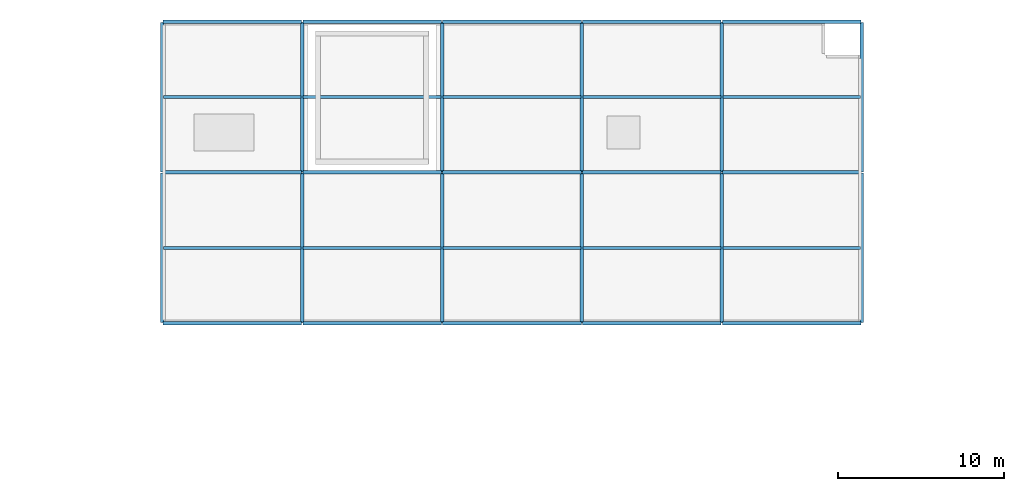
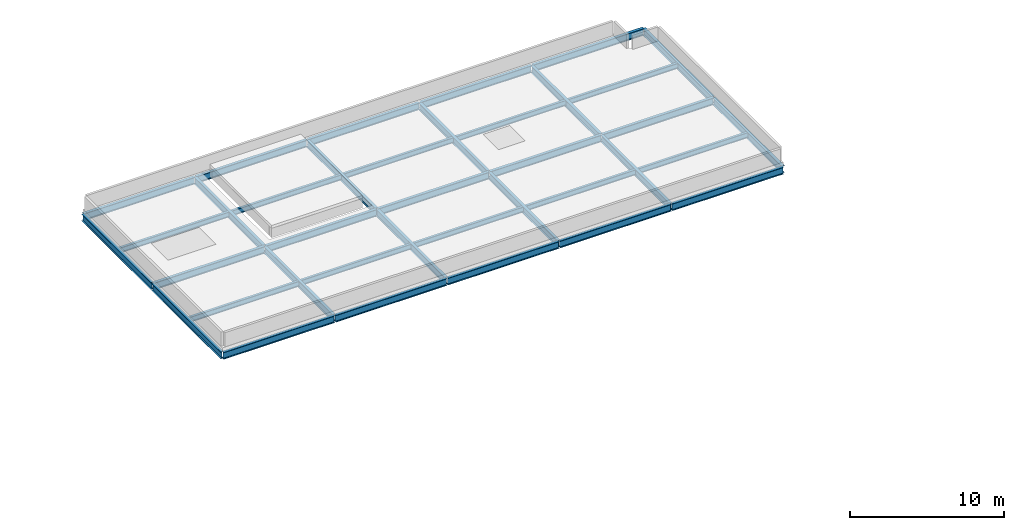
# One storey, part 43 of 58: 37 beams.
"""IFC4 building model written with IfcOpenShell, lengths in metres."""

import ifcopenshell
import ifcopenshell.guid

model = None  # the IFC model being written
_history = None  # IfcOwnerHistory: only IFC2X3 demands one
_inside = {}  # id of a spatial element -> (the spatial element, [elements in it])
_under = {}  # id of a project, library or spatial element -> (it, [spatial elements below it])
_declared = {}  # id of a project -> (the project, [libraries it declares])
_typed = {}  # id of a type object -> (the type object, [elements of that type])
_made_of = {}  # id of a material, layer set ... -> (it, [elements and type objects made of it])


def new_model(schema):
    """Start an empty IFC model of exactly this schema.

    Asked for "IFC4X3", IfcOpenShell would pick the latest addendum, in which some entities
    have other attributes; the version numbers below select the first issue.
    IFC2X3 requires an IfcOwnerHistory on every rooted entity: one is made here for all.
    """
    global model, _history
    if schema == "IFC4X3":
        model = ifcopenshell.file(schema_version=(4, 3, 0, 0))
    else:
        model = ifcopenshell.file(schema=schema)
    _inside.clear()
    _under.clear()
    _declared.clear()
    _typed.clear()
    _made_of.clear()
    _history = None
    if model.schema == "IFC2X3":
        org = make("IfcOrganization", Name="unknown")
        user = make(
            "IfcPersonAndOrganization",
            ThePerson=make("IfcPerson", FamilyName="unknown"),
            TheOrganization=org,
        )
        app = make(
            "IfcApplication",
            ApplicationDeveloper=org,
            Version="unknown",
            ApplicationFullName="unknown",
            ApplicationIdentifier="unknown",
        )
        _history = make(
            "IfcOwnerHistory",
            OwningUser=user,
            OwningApplication=app,
            ChangeAction="ADDED",
            CreationDate=0,
        )
    return model


def make(cls, **values):
    """One entity of the class cls with the attributes given. An attribute that is None is left unset."""
    return model.create_entity(
        cls, **{name: value for name, value in values.items() if value is not None}
    )


def rooted(cls, **values):
    """An entity with a GlobalId (a new one), such as an element, a storey or a relation."""
    return make(cls, GlobalId=ifcopenshell.guid.new(), OwnerHistory=_history, **values)


def si_unit(unit_type, name, prefix=None):
    """IfcSIUnit, for example si_unit("LENGTHUNIT", "METRE", prefix="MILLI")."""
    return make("IfcSIUnit", UnitType=unit_type, Prefix=prefix, Name=name)


def assignment(units):
    """IfcUnitAssignment: the units of a project."""
    return None if units is None else make("IfcUnitAssignment", Units=units)


def point(xyz):
    """IfcCartesianPoint."""
    return None if xyz is None else make("IfcCartesianPoint", Coordinates=xyz)


def direction(xyz):
    """IfcDirection."""
    return None if xyz is None else make("IfcDirection", DirectionRatios=xyz)


def frame(location, z_axis=None, x_axis=None):
    """IfcAxis2Placement3D, a coordinate frame: its origin and axes. An axis left out is left unset."""
    return make(
        "IfcAxis2Placement3D",
        Location=point(location),
        Axis=direction(z_axis),
        RefDirection=direction(x_axis),
    )


def frame_2d(location, x_axis=None):
    """IfcAxis2Placement2D, a coordinate frame in the plane: its origin and x axis."""
    return make(
        "IfcAxis2Placement2D", Location=point(location), RefDirection=direction(x_axis)
    )


def origin():
    """The frame at (0, 0, 0) with its axes left unset."""
    return frame((0.0, 0.0, 0.0))


def origin_2d():
    """The frame at (0, 0) in the plane with its x axis left unset."""
    return frame_2d((0.0, 0.0))


def place(relative_to, where):
    """IfcLocalPlacement: puts the frame where relative to a parent placement (None: the world)."""
    return make(
        "IfcLocalPlacement", PlacementRelTo=relative_to, RelativePlacement=where
    )


def context(
    kind, dimensions, precision=None, world=None, true_north=None, identifier=None
):
    """IfcGeometricRepresentationContext, for example the 3D "Model" context."""
    return make(
        "IfcGeometricRepresentationContext",
        ContextIdentifier=identifier,
        ContextType=kind,
        CoordinateSpaceDimension=dimensions,
        Precision=precision,
        WorldCoordinateSystem=world,
        TrueNorth=true_north,
    )


def subcontext(parent, identifier, kind, view, scale=None):
    """IfcGeometricRepresentationSubContext, for example "Body" below "Model"."""
    return make(
        "IfcGeometricRepresentationSubContext",
        ContextIdentifier=identifier,
        ContextType=kind,
        ParentContext=parent,
        TargetScale=scale,
        TargetView=view,
    )


def project(units=None, contexts=None):
    """IfcProject with its units and contexts."""
    return rooted(
        "IfcProject",
        Name="project",
        RepresentationContexts=contexts,
        UnitsInContext=assignment(units),
    )


def spatial(cls, under=None, at=None, **own):
    """A site, building, storey or space (cls), placed at a placement, below another one or the project."""
    s = rooted(cls, ObjectPlacement=at, **own)
    if under is not None:
        _under.setdefault(under.id(), (under, []))[1].append(s)
    return s


def profile(cls, at=None, kind="AREA", **sizes):
    """A parametric profile (cls). Its sizes go by their IFC names, for example OverallWidth=200.0."""
    return make(cls, ProfileType=kind, Position=at, **sizes)


def i_section(**sizes):
    """IfcIShapeProfileDef."""
    return profile("IfcIShapeProfileDef", **sizes)


def extrude(swept, where, along, depth):
    """IfcExtrudedAreaSolid: the profile swept, set in the frame where, extruded along a direction by depth."""
    return make(
        "IfcExtrudedAreaSolid",
        SweptArea=swept,
        Position=where,
        ExtrudedDirection=direction(along),
        Depth=depth,
    )


def shape(context_of_items, identifier, shape_type, items):
    """IfcShapeRepresentation: the items that make up one representation, for example the "Body"."""
    return make(
        "IfcShapeRepresentation",
        ContextOfItems=context_of_items,
        RepresentationIdentifier=identifier,
        RepresentationType=shape_type,
        Items=items,
    )


def material(Name=None, Category=None):
    """IfcMaterial."""
    return make("IfcMaterial", Name=Name, Category=Category)


def material_profile(
    of_material, cross_section, Name=None, Category=None, Priority=None
):
    """IfcMaterialProfile: a cross section and its material."""
    return make(
        "IfcMaterialProfile",
        Name=Name,
        Material=of_material,
        Profile=cross_section,
        Priority=Priority,
        Category=Category,
    )


def profile_set(profiles, Name=None, composite=None):
    """IfcMaterialProfileSet."""
    return make(
        "IfcMaterialProfileSet",
        Name=Name,
        MaterialProfiles=profiles,
        CompositeProfile=composite,
    )


def made_of(thing, what):
    """Note that an element or type object is made of a material, layer set ...; save() writes the relation."""
    if what is not None:
        _made_of.setdefault(what.id(), (what, []))[1].append(thing)
    return thing


def type_object(cls, material=None, **own):
    """A type object (cls), such as IfcWallType, which elements share."""
    return made_of(rooted(cls, **own), material)


def element(
    cls,
    number,
    at=None,
    inside=None,
    cuts=None,
    type_object=None,
    material=None,
    context=None,
    identifier="Body",
    shape_type=None,
    held_by="IfcProductDefinitionShape",
    body=None,
    shapes=None,
    **own,
):
    """One element of the class cls, such as IfcWall. Its Tag is "e" and its number.

    at: its placement. inside: the storey or other place that contains it. cuts: it is an
    opening in that element (IfcRelVoidsElement). A single representation is given by context,
    identifier, shape_type and body (its items); several are given by shapes. held_by: the class
    of the entity that holds the representations. save() writes the other relations.
    """
    e = rooted(cls, Tag="e%d" % number, ObjectPlacement=at, **own)
    if body is not None:
        shapes = [shape(context, identifier, shape_type, body)]
    if shapes is not None:
        e.Representation = make(held_by, Representations=shapes)
    if inside is not None:
        _inside.setdefault(inside.id(), (inside, []))[1].append(e)
    if cuts is not None:
        rooted(
            "IfcRelVoidsElement", RelatingBuildingElement=cuts, RelatedOpeningElement=e
        )
    if type_object is not None:
        _typed.setdefault(type_object.id(), (type_object, []))[1].append(e)
    return made_of(e, material)


def aggregate(whole, parts):
    """IfcRelAggregates: a whole, such as a stair, and the parts it consists of."""
    return rooted("IfcRelAggregates", RelatingObject=whole, RelatedObjects=parts)


def save(model, path):
    """Write the relations noted so far, then the file.

    IfcRelAggregates (storeys below a building ...), IfcRelContainedInSpatialStructure (elements
    in a storey), IfcRelDefinesByType, IfcRelAssociatesMaterial and IfcRelDeclares: one each for
    every whole, place, type object, material and project.
    """
    for whole, parts in _under.values():
        aggregate(whole, parts)
    for where, things in _inside.values():
        rooted(
            "IfcRelContainedInSpatialStructure",
            RelatedElements=things,
            RelatingStructure=where,
        )
    for kind, things in _typed.values():
        rooted("IfcRelDefinesByType", RelatedObjects=things, RelatingType=kind)
    for what, things in _made_of.values():
        rooted("IfcRelAssociatesMaterial", RelatedObjects=things, RelatingMaterial=what)
    for by, libraries in _declared.values():
        rooted("IfcRelDeclares", RelatingContext=by, RelatedDefinitions=libraries)
    model.write(path)


model = new_model("IFC4")

# Units and contexts
model_context = context("Model", 3, precision=1e-05, world=origin(), true_north=direction((0.0, 1.0)))
body_context = subcontext(model_context, "Body", "Model", "MODEL_VIEW")
ifc_project = project(units=[si_unit("LENGTHUNIT", "METRE"), si_unit("AREAUNIT", "SQUARE_METRE"), si_unit("VOLUMEUNIT", "CUBIC_METRE"), si_unit("PLANEANGLEUNIT", "RADIAN"), si_unit("MASSUNIT", "GRAM", prefix="KILO")], contexts=[model_context])

# Site, building, storey
site_placement = place(None, origin())
site = spatial("IfcSite", under=ifc_project, at=site_placement, CompositionType="ELEMENT")
building_placement = place(site_placement, origin())
building = spatial("IfcBuilding", under=site, at=building_placement, Name="Khurvash Pelagic Aquarium", CompositionType="ELEMENT")
storey_placement = place(building_placement, frame((0.0, 0.0, 24.60009765625)))
storey = spatial("IfcBuildingStorey", under=building, at=storey_placement, Name="L05", CompositionType="ELEMENT", Elevation=24.60009765625)

# Beams
ifc_material = material(Name="Steel ASTM A992 Grade 50", Category="steel")
ifc_material_profile_1 = material_profile(ifc_material, i_section(OverallWidth=0.214111328125, OverallDepth=0.549072265625, WebThickness=0.0146484375, FlangeThickness=0.023681640625, at=origin_2d()), Name="W21X93")
ifc_profile_set_1 = profile_set([ifc_material_profile_1], Name="Steel ASTM A992 Grade 50")
beam_type_1 = type_object("IfcBeamType", Name="BM-11", PredefinedType="BEAM", material=ifc_profile_set_1)
beam_1_placement = place(storey_placement, frame((58.840087890625, 84.050048828125, -0.594482421875), z_axis=(1.0, 0.0, 0.0), x_axis=(0.0, 1.0, 0.0)))
element("IfcBeam", 1, at=beam_1_placement, inside=storey, type_object=beam_type_1, Name="L05 Roof Girder BM-11 01260", PredefinedType="BEAM", context=body_context, shape_type="SweptSolid", body=[
    extrude(i_section(OverallWidth=0.214111328125, OverallDepth=0.549072265625, WebThickness=0.0146484375, FlangeThickness=0.023681640625, at=origin_2d()), origin(), (0.0, 0.0, 1.0), 8.31982421875),
])
for number, where, z_axis, x_axis, name in (
    (2, (67.239990234375, 84.050048828125, -0.594482421875), (1.0, 0.0, 0.0), (0.0, 1.0, 0.0), "L05 Roof Girder BM-11 01261"),
    (3, (75.639892578125, 84.050048828125, -0.594482421875), (1.0, 0.0, 0.0), (0.0, 1.0, 0.0), "L05 Roof Girder BM-11 01262"),
    (4, (84.0400390625, 84.050048828125, -0.594482421875), (1.0, 0.0, 0.0), (0.0, 1.0, 0.0), "L05 Roof Girder BM-11 01263"),
    (5, (92.43994140625, 84.050048828125, -0.594482421875), (1.0, 0.0, 0.0), (0.0, 1.0, 0.0), "L05 Roof Girder BM-11 01264"),
):
    element("IfcBeam", number, at=place(storey_placement, frame(where, z_axis=z_axis, x_axis=x_axis)), inside=storey, type_object=beam_type_1, Name=name, PredefinedType="BEAM", context=body_context, shape_type="SweptSolid", body=[
        extrude(i_section(OverallWidth=0.214111328125, OverallDepth=0.549072265625, WebThickness=0.0146484375, FlangeThickness=0.023681640625, at=origin_2d()), origin(), (0.0, 0.0, 1.0), 8.320068359375),
    ])
beam_2_placement = place(storey_placement, frame((58.840087890625, 93.10009765625, -0.594482421875), z_axis=(1.0, 0.0, 0.0), x_axis=(0.0, 1.0, 0.0)))
element("IfcBeam", 6, at=beam_2_placement, inside=storey, type_object=beam_type_1, Name="L05 Roof Girder BM-11 01265", PredefinedType="BEAM", context=body_context, shape_type="SweptSolid", body=[
    extrude(i_section(OverallWidth=0.214111328125, OverallDepth=0.549072265625, WebThickness=0.0146484375, FlangeThickness=0.023681640625, at=origin_2d()), origin(), (0.0, 0.0, 1.0), 8.31982421875),
])
for number, where, z_axis, x_axis, name in (
    (7, (67.239990234375, 93.10009765625, -0.594482421875), (1.0, 0.0, 0.0), (0.0, 1.0, 0.0), "L05 Roof Girder BM-11 01266"),
    (8, (75.639892578125, 93.10009765625, -0.594482421875), (1.0, 0.0, 0.0), (0.0, 1.0, 0.0), "L05 Roof Girder BM-11 01267"),
    (9, (84.0400390625, 93.10009765625, -0.594482421875), (1.0, 0.0, 0.0), (0.0, 1.0, 0.0), "L05 Roof Girder BM-11 01268"),
    (10, (92.43994140625, 93.10009765625, -0.594482421875), (1.0, 0.0, 0.0), (0.0, 1.0, 0.0), "L05 Roof Girder BM-11 01269"),
):
    element("IfcBeam", number, at=place(storey_placement, frame(where, z_axis=z_axis, x_axis=x_axis)), inside=storey, type_object=beam_type_1, Name=name, PredefinedType="BEAM", context=body_context, shape_type="SweptSolid", body=[
        extrude(i_section(OverallWidth=0.214111328125, OverallDepth=0.549072265625, WebThickness=0.0146484375, FlangeThickness=0.023681640625, at=origin_2d()), origin(), (0.0, 0.0, 1.0), 8.320068359375),
    ])
beam_3_placement = place(storey_placement, frame((58.840087890625, 102.14990234375, -0.594482421875), z_axis=(1.0, 0.0, 0.0), x_axis=(0.0, 1.0, 0.0)))
element("IfcBeam", 11, at=beam_3_placement, inside=storey, type_object=beam_type_1, Name="L05 Roof Girder BM-11 01270", PredefinedType="BEAM", context=body_context, shape_type="SweptSolid", body=[
    extrude(i_section(OverallWidth=0.214111328125, OverallDepth=0.549072265625, WebThickness=0.0146484375, FlangeThickness=0.023681640625, at=origin_2d()), origin(), (0.0, 0.0, 1.0), 8.31982421875),
])
for number, where, z_axis, x_axis, name in (
    (12, (67.239990234375, 102.14990234375, -0.594482421875), (1.0, 0.0, 0.0), (0.0, 1.0, 0.0), "L05 Roof Girder BM-11 01271"),
    (13, (75.639892578125, 102.14990234375, -0.594482421875), (1.0, 0.0, 0.0), (0.0, 1.0, 0.0), "L05 Roof Girder BM-11 01272"),
    (14, (84.0400390625, 102.14990234375, -0.594482421875), (1.0, 0.0, 0.0), (0.0, 1.0, 0.0), "L05 Roof Girder BM-11 01273"),
    (15, (92.43994140625, 102.14990234375, -0.594482421875), (1.0, 0.0, 0.0), (0.0, 1.0, 0.0), "L05 Roof Girder BM-11 01274"),
):
    element("IfcBeam", number, at=place(storey_placement, frame(where, z_axis=z_axis, x_axis=x_axis)), inside=storey, type_object=beam_type_1, Name=name, PredefinedType="BEAM", context=body_context, shape_type="SweptSolid", body=[
        extrude(i_section(OverallWidth=0.214111328125, OverallDepth=0.549072265625, WebThickness=0.0146484375, FlangeThickness=0.023681640625, at=origin_2d()), origin(), (0.0, 0.0, 1.0), 8.320068359375),
    ])
beam_4_placement = place(storey_placement, frame((58.800048828125, 84.090087890625, -0.594482421875), z_axis=(0.0, 1.0, 0.0), x_axis=(-1.0, 0.0, 0.0)))
element("IfcBeam", 16, at=beam_4_placement, inside=storey, type_object=beam_type_1, Name="L05 Roof Girder BM-11 01277", PredefinedType="BEAM", context=body_context, shape_type="SweptSolid", body=[
    extrude(i_section(OverallWidth=0.214111328125, OverallDepth=0.549072265625, WebThickness=0.0146484375, FlangeThickness=0.023681640625, at=origin_2d()), origin(), (0.0, 0.0, 1.0), 8.969970703125),
])
beam_5_placement = place(storey_placement, frame((58.800048828125, 93.139892578125, -0.594482421875), z_axis=(0.0, 1.0, 0.0), x_axis=(-1.0, 0.0, 0.0)))
element("IfcBeam", 17, at=beam_5_placement, inside=storey, type_object=beam_type_1, Name="L05 Roof Girder BM-11 01278", PredefinedType="BEAM", context=body_context, shape_type="SweptSolid", body=[
    extrude(i_section(OverallWidth=0.214111328125, OverallDepth=0.549072265625, WebThickness=0.0146484375, FlangeThickness=0.023681640625, at=origin_2d()), origin(), (0.0, 0.0, 1.0), 8.97021484375),
])
beam_6_placement = place(storey_placement, frame((67.199951171875, 84.090087890625, -0.594482421875), z_axis=(0.0, 1.0, 0.0), x_axis=(-1.0, 0.0, 0.0)))
element("IfcBeam", 18, at=beam_6_placement, inside=storey, type_object=beam_type_1, Name="L05 Roof Girder BM-11 01279", PredefinedType="BEAM", context=body_context, shape_type="SweptSolid", body=[
    extrude(i_section(OverallWidth=0.214111328125, OverallDepth=0.549072265625, WebThickness=0.0146484375, FlangeThickness=0.023681640625, at=origin_2d()), origin(), (0.0, 0.0, 1.0), 8.969970703125),
])
beam_7_placement = place(storey_placement, frame((67.199951171875, 93.139892578125, -0.594482421875), z_axis=(0.0, 1.0, 0.0), x_axis=(-1.0, 0.0, 0.0)))
element("IfcBeam", 19, at=beam_7_placement, inside=storey, type_object=beam_type_1, Name="L05 Roof Girder BM-11 01280", PredefinedType="BEAM", context=body_context, shape_type="SweptSolid", body=[
    extrude(i_section(OverallWidth=0.214111328125, OverallDepth=0.549072265625, WebThickness=0.0146484375, FlangeThickness=0.023681640625, at=origin_2d()), origin(), (0.0, 0.0, 1.0), 8.97021484375),
])
beam_8_placement = place(storey_placement, frame((75.60009765625, 84.090087890625, -0.594482421875), z_axis=(0.0, 1.0, 0.0), x_axis=(-1.0, 0.0, 0.0)))
element("IfcBeam", 20, at=beam_8_placement, inside=storey, type_object=beam_type_1, Name="L05 Roof Girder BM-11 01281", PredefinedType="BEAM", context=body_context, shape_type="SweptSolid", body=[
    extrude(i_section(OverallWidth=0.214111328125, OverallDepth=0.549072265625, WebThickness=0.0146484375, FlangeThickness=0.023681640625, at=origin_2d()), origin(), (0.0, 0.0, 1.0), 8.969970703125),
])
beam_9_placement = place(storey_placement, frame((75.60009765625, 93.139892578125, -0.594482421875), z_axis=(0.0, 1.0, 0.0), x_axis=(-1.0, 0.0, 0.0)))
element("IfcBeam", 21, at=beam_9_placement, inside=storey, type_object=beam_type_1, Name="L05 Roof Girder BM-11 01282", PredefinedType="BEAM", context=body_context, shape_type="SweptSolid", body=[
    extrude(i_section(OverallWidth=0.214111328125, OverallDepth=0.549072265625, WebThickness=0.0146484375, FlangeThickness=0.023681640625, at=origin_2d()), origin(), (0.0, 0.0, 1.0), 8.97021484375),
])
beam_10_placement = place(storey_placement, frame((84.0, 84.090087890625, -0.594482421875), z_axis=(0.0, 1.0, 0.0), x_axis=(-1.0, 0.0, 0.0)))
element("IfcBeam", 22, at=beam_10_placement, inside=storey, type_object=beam_type_1, Name="L05 Roof Girder BM-11 01283", PredefinedType="BEAM", context=body_context, shape_type="SweptSolid", body=[
    extrude(i_section(OverallWidth=0.214111328125, OverallDepth=0.549072265625, WebThickness=0.0146484375, FlangeThickness=0.023681640625, at=origin_2d()), origin(), (0.0, 0.0, 1.0), 8.969970703125),
])
beam_11_placement = place(storey_placement, frame((84.0, 93.139892578125, -0.594482421875), z_axis=(0.0, 1.0, 0.0), x_axis=(-1.0, 0.0, 0.0)))
element("IfcBeam", 23, at=beam_11_placement, inside=storey, type_object=beam_type_1, Name="L05 Roof Girder BM-11 01284", PredefinedType="BEAM", context=body_context, shape_type="SweptSolid", body=[
    extrude(i_section(OverallWidth=0.214111328125, OverallDepth=0.549072265625, WebThickness=0.0146484375, FlangeThickness=0.023681640625, at=origin_2d()), origin(), (0.0, 0.0, 1.0), 8.97021484375),
])
beam_12_placement = place(storey_placement, frame((92.39990234375, 84.090087890625, -0.594482421875), z_axis=(0.0, 1.0, 0.0), x_axis=(-1.0, 0.0, 0.0)))
element("IfcBeam", 24, at=beam_12_placement, inside=storey, type_object=beam_type_1, Name="L05 Roof Girder BM-11 01285", PredefinedType="BEAM", context=body_context, shape_type="SweptSolid", body=[
    extrude(i_section(OverallWidth=0.214111328125, OverallDepth=0.549072265625, WebThickness=0.0146484375, FlangeThickness=0.023681640625, at=origin_2d()), origin(), (0.0, 0.0, 1.0), 8.969970703125),
])
beam_13_placement = place(storey_placement, frame((92.39990234375, 93.139892578125, -0.594482421875), z_axis=(0.0, 1.0, 0.0), x_axis=(-1.0, 0.0, 0.0)))
element("IfcBeam", 25, at=beam_13_placement, inside=storey, type_object=beam_type_1, Name="L05 Roof Girder BM-11 01286", PredefinedType="BEAM", context=body_context, shape_type="SweptSolid", body=[
    extrude(i_section(OverallWidth=0.214111328125, OverallDepth=0.549072265625, WebThickness=0.0146484375, FlangeThickness=0.023681640625, at=origin_2d()), origin(), (0.0, 0.0, 1.0), 8.97021484375),
])
beam_14_placement = place(storey_placement, frame((100.800048828125, 84.090087890625, -0.594482421875), z_axis=(0.0, 1.0, 0.0), x_axis=(-1.0, 0.0, 0.0)))
element("IfcBeam", 26, at=beam_14_placement, inside=storey, type_object=beam_type_1, Name="L05 Roof Girder BM-11 01288", PredefinedType="BEAM", context=body_context, shape_type="SweptSolid", body=[
    extrude(i_section(OverallWidth=0.214111328125, OverallDepth=0.549072265625, WebThickness=0.0146484375, FlangeThickness=0.023681640625, at=origin_2d()), origin(), (0.0, 0.0, 1.0), 8.969970703125),
])
beam_15_placement = place(storey_placement, frame((100.800048828125, 93.139892578125, -0.594482421875), z_axis=(0.0, 1.0, 0.0), x_axis=(-1.0, 0.0, 0.0)))
element("IfcBeam", 27, at=beam_15_placement, inside=storey, type_object=beam_type_1, Name="L05 Roof Girder BM-11 01289", PredefinedType="BEAM", context=body_context, shape_type="SweptSolid", body=[
    extrude(i_section(OverallWidth=0.214111328125, OverallDepth=0.549072265625, WebThickness=0.0146484375, FlangeThickness=0.023681640625, at=origin_2d()), origin(), (0.0, 0.0, 1.0), 8.97021484375),
])
ifc_material_profile_2 = material_profile(ifc_material, i_section(OverallWidth=0.180908203125, OverallDepth=0.4169921875, WebThickness=0.010986328125, FlangeThickness=0.018310546875, at=origin_2d()), Name="W16X57")
ifc_profile_set_2 = profile_set([ifc_material_profile_2], Name="Steel ASTM A992 Grade 50")
beam_type_2 = type_object("IfcBeamType", Name="JS-03", PredefinedType="JOIST", material=ifc_profile_set_2)
for number, where, z_axis, x_axis, name in (
    (28, (58.860107421875, 88.574951171875, -0.528564453125), (1.0, 0.0, 0.0), (0.0, 1.0, 0.0), "L05 Roof Joist JS-03"),
    (29, (58.860107421875, 97.625, -0.528564453125), (1.0, 0.0, 0.0), (0.0, 1.0, 0.0), "L05 Roof Joist JS-03"),
):
    element("IfcBeam", number, at=place(storey_placement, frame(where, z_axis=z_axis, x_axis=x_axis)), inside=storey, type_object=beam_type_2, Name=name, PredefinedType="JOIST", context=body_context, shape_type="SweptSolid", body=[
        extrude(i_section(OverallWidth=0.180908203125, OverallDepth=0.4169921875, WebThickness=0.010986328125, FlangeThickness=0.018310546875, at=origin_2d()), origin(), (0.0, 0.0, 1.0), 8.27978515625),
    ])
for number, where, z_axis, x_axis, name in (
    (30, (67.260009765625, 88.574951171875, -0.528564453125), (1.0, 0.0, 0.0), (0.0, 1.0, 0.0), "L05 Roof Joist JS-03"),
    (31, (67.260009765625, 97.625, -0.528564453125), (1.0, 0.0, 0.0), (0.0, 1.0, 0.0), "L05 Roof Joist JS-03"),
    (32, (75.659912109375, 88.574951171875, -0.528564453125), (1.0, 0.0, 0.0), (0.0, 1.0, 0.0), "L05 Roof Joist JS-03"),
    (33, (75.659912109375, 97.625, -0.528564453125), (1.0, 0.0, 0.0), (0.0, 1.0, 0.0), "L05 Roof Joist JS-03"),
    (34, (84.06005859375, 88.574951171875, -0.528564453125), (1.0, 0.0, 0.0), (0.0, 1.0, 0.0), "L05 Roof Joist JS-03"),
    (35, (84.06005859375, 97.625, -0.528564453125), (1.0, 0.0, 0.0), (0.0, 1.0, 0.0), "L05 Roof Joist JS-03"),
    (36, (92.4599609375, 88.574951171875, -0.528564453125), (1.0, 0.0, 0.0), (0.0, 1.0, 0.0), "L05 Roof Joist JS-03"),
    (37, (92.4599609375, 97.625, -0.528564453125), (1.0, 0.0, 0.0), (0.0, 1.0, 0.0), "L05 Roof Joist JS-03"),
):
    element("IfcBeam", number, at=place(storey_placement, frame(where, z_axis=z_axis, x_axis=x_axis)), inside=storey, type_object=beam_type_2, Name=name, PredefinedType="JOIST", context=body_context, shape_type="SweptSolid", body=[
        extrude(i_section(OverallWidth=0.180908203125, OverallDepth=0.4169921875, WebThickness=0.010986328125, FlangeThickness=0.018310546875, at=origin_2d()), origin(), (0.0, 0.0, 1.0), 8.280029296875),
    ])

save(model, "model.ifc")
